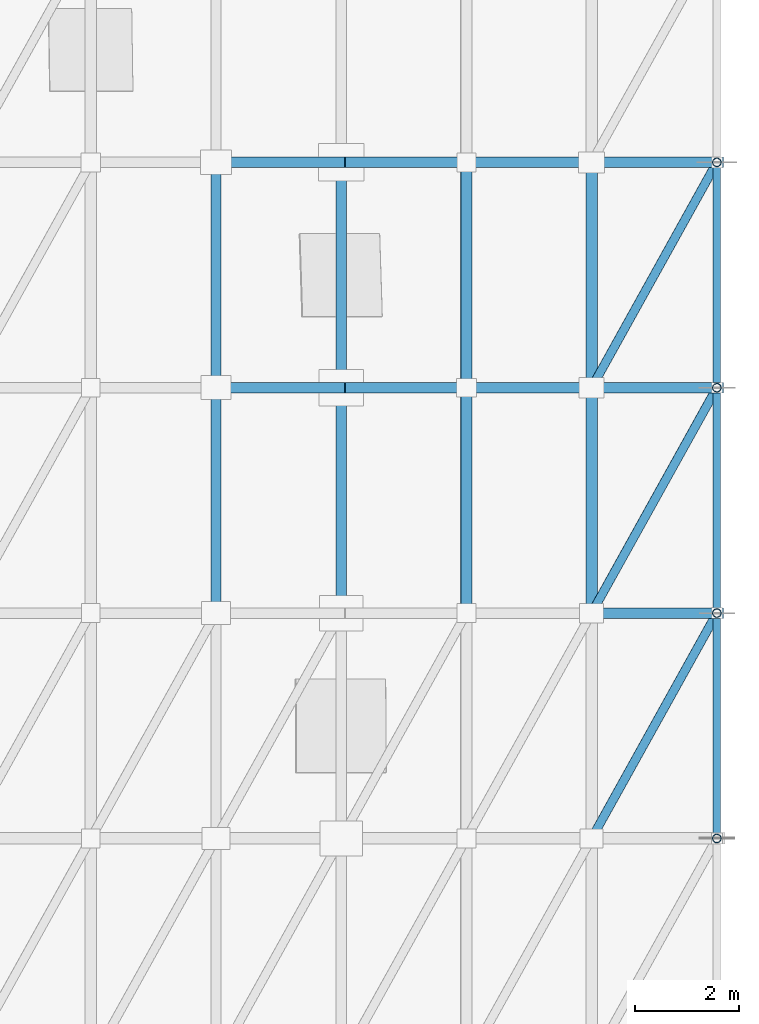
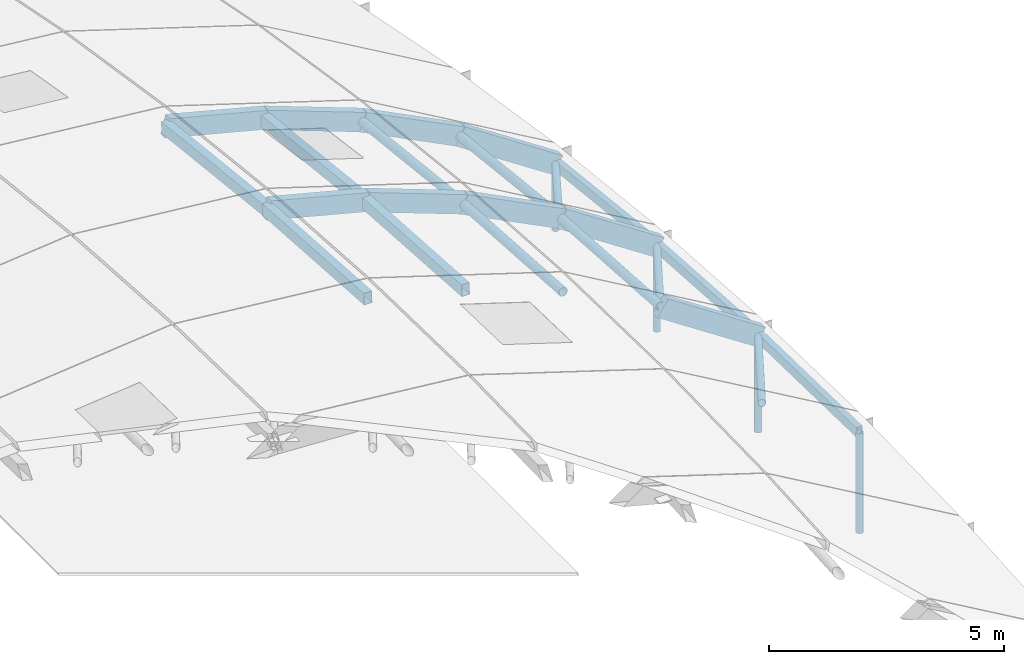
# One storey, part 16 of 35: 27 members.
"""IFC4 building model written with IfcOpenShell, lengths in metres."""

from ifc_helpers import new_model, si_unit, direction, frame, origin, origin_2d, place, context, subcontext, project, spatial, rectangle, hollow_rectangle, hollow_circle, extrude, material, material_profile, profile_set, type_object, element, save


model = new_model("IFC4")

# Units and contexts
model_context = context("Model", 3, precision=1e-05, world=origin(), true_north=direction((0.0, 1.0)))
body_context = subcontext(model_context, "Body", "Model", "MODEL_VIEW")
ifc_project = project(units=[si_unit("LENGTHUNIT", "METRE"), si_unit("AREAUNIT", "SQUARE_METRE"), si_unit("VOLUMEUNIT", "CUBIC_METRE"), si_unit("PLANEANGLEUNIT", "RADIAN"), si_unit("MASSUNIT", "GRAM", prefix="KILO")], contexts=[model_context])

# Site, building, storey
site_placement = place(None, origin())
site = spatial("IfcSite", under=ifc_project, at=site_placement, CompositionType="ELEMENT")
building_placement = place(site_placement, origin())
building = spatial("IfcBuilding", under=site, at=building_placement, Name="Zarrinpeak Specialist Clinic", CompositionType="ELEMENT")
storey_placement = place(building_placement, frame((0.0, 0.0, 31.60009765625)))
storey = spatial("IfcBuildingStorey", under=building, at=storey_placement, Name="RF", CompositionType="ELEMENT", Elevation=31.60009765625)

# Members
ifc_material_1 = material(Name="Steel S355", Category="steel")
ifc_material_profile_1 = material_profile(ifc_material_1, hollow_circle(Radius=0.084228515625, WallThickness=0.008056640625, at=origin_2d()), Name="CHS 168.3x8.0")
ifc_profile_set_1 = profile_set([ifc_material_profile_1], Name="Steel S355")
member_type_1 = type_object("IfcMemberType", Name="MB-BR168", PredefinedType="BRACE", material=ifc_profile_set_1)
member_1_placement = place(storey_placement, frame((120.0, 50.39990234375, -13.615478515625), z_axis=(0.459761922382, 0.827618231592, -0.321973659581), x_axis=(-0.874168927292, 0.485621958479, 0.0)))
element("IfcMember", 1, at=member_1_placement, inside=storey, type_object=member_type_1, Name="V3 Gridshell Diagonal Brace GS-DIAG-068", PredefinedType="BRACE", context=body_context, shape_type="SweptSolid", body=[
    extrude(hollow_circle(Radius=0.084228515625, WallThickness=0.008056640625, at=origin_2d()), origin(), (0.0, 0.0, 1.0), 5.219970703125),
])
member_2_placement = place(storey_placement, frame((120.0, 54.719970703125, -13.71142578125), z_axis=(0.454115050454, 0.81745328767, -0.354329851168), x_axis=(-0.874168927292, 0.485621958479, 0.0)))
element("IfcMember", 2, at=member_2_placement, inside=storey, type_object=member_type_1, Name="V3 Gridshell Diagonal Brace GS-DIAG-069", PredefinedType="BRACE", context=body_context, shape_type="SweptSolid", body=[
    extrude(hollow_circle(Radius=0.084228515625, WallThickness=0.008056640625, at=origin_2d()), origin(), (0.0, 0.0, 1.0), 5.28466796875),
])
member_3_placement = place(storey_placement, frame((120.0, 59.0400390625, -13.99951171875), z_axis=(0.448087039807, 0.806602255279, -0.385500721836), x_axis=(-0.874168927292, 0.485621958479, 0.0)))
element("IfcMember", 3, at=member_3_placement, inside=storey, type_object=member_type_1, Name="V3 Gridshell Diagonal Brace GS-DIAG-070", PredefinedType="BRACE", context=body_context, shape_type="SweptSolid", body=[
    extrude(hollow_circle(Radius=0.084228515625, WallThickness=0.008056640625, at=origin_2d()), origin(), (0.0, 0.0, 1.0), 5.35595703125),
])
ifc_material_profile_2 = material_profile(ifc_material_1, hollow_circle(Radius=0.109619140625, WallThickness=0.010009765625, at=origin_2d()), Name="CHS 219.1x10.0")
ifc_profile_set_2 = profile_set([ifc_material_profile_2], Name="Steel S355")
member_type_2 = type_object("IfcMemberType", Name="MB-GS-CH219", PredefinedType="USERDEFINED", material=ifc_profile_set_2)
member_4_placement = place(storey_placement, frame((117.60009765625, 54.719970703125, -12.499755859375), z_axis=(0.0, 0.997787652204, -0.066481584739), x_axis=(-1.0, 0.0, 0.0)))
element("IfcMember", 4, at=member_4_placement, inside=storey, type_object=member_type_2, Name="V3 Translational Gridshell Vault Steel Chord I10-J06", ObjectType="ARCH_SEGMENT", PredefinedType="USERDEFINED", context=body_context, shape_type="SweptSolid", body=[
    extrude(hollow_circle(Radius=0.109619140625, WallThickness=0.010009765625, at=origin_2d()), origin(), (0.0, 0.0, 1.0), 4.32958984375),
])
member_5_placement = place(storey_placement, frame((117.60009765625, 59.0400390625, -12.78759765625), z_axis=(0.0, 0.993884419624, -0.110425361344), x_axis=(-1.0, 0.0, 0.0)))
element("IfcMember", 5, at=member_5_placement, inside=storey, type_object=member_type_2, Name="V3 Translational Gridshell Vault Steel Chord I10-J07", ObjectType="ARCH_SEGMENT", PredefinedType="USERDEFINED", context=body_context, shape_type="SweptSolid", body=[
    extrude(hollow_circle(Radius=0.109619140625, WallThickness=0.010009765625, at=origin_2d()), origin(), (0.0, 0.0, 1.0), 4.3466796875),
])
member_6_placement = place(storey_placement, frame((120.0, 54.719970703125, -13.71142578125), z_axis=(0.0, 0.997783910161, -0.066537723311), x_axis=(-1.0, 0.0, 0.0)))
element("IfcMember", 6, at=member_6_placement, inside=storey, type_object=member_type_2, Name="V3 Translational Gridshell Vault Steel Chord I11-J06", ObjectType="ARCH_SEGMENT", PredefinedType="USERDEFINED", context=body_context, shape_type="SweptSolid", body=[
    extrude(hollow_circle(Radius=0.109619140625, WallThickness=0.010009765625, at=origin_2d()), origin(), (0.0, 0.0, 1.0), 4.32958984375),
])
member_7_placement = place(storey_placement, frame((120.0, 59.0400390625, -13.99951171875), z_axis=(0.0, 0.993884419624, -0.110425361344), x_axis=(-1.0, 0.0, 0.0)))
element("IfcMember", 7, at=member_7_placement, inside=storey, type_object=member_type_2, Name="V3 Translational Gridshell Vault Steel Chord I11-J07", ObjectType="ARCH_SEGMENT", PredefinedType="USERDEFINED", context=body_context, shape_type="SweptSolid", body=[
    extrude(hollow_circle(Radius=0.109619140625, WallThickness=0.010009765625, at=origin_2d()), origin(), (0.0, 0.0, 1.0), 4.3466796875),
])
ifc_material_2 = material(Name="Glulam GL28h", Category="wood")
ifc_material_profile_3 = material_profile(ifc_material_2, rectangle(XDim=0.199951171875, YDim=0.47998046875, at=origin_2d()), Name="GL28h 200x480")
ifc_profile_set_3 = profile_set([ifc_material_profile_3], Name="Glulam GL28h")
member_type_3 = type_object("IfcMemberType", Name="MB-GS-GL480", PredefinedType="USERDEFINED", material=ifc_profile_set_3)
member_8_placement = place(storey_placement, frame((120.0, 54.719970703125, -13.71142578125), z_axis=(0.834484495814, 0.0, -0.55103142038), x_axis=(0.0, 1.0, 0.0)))
element("IfcMember", 8, at=member_8_placement, inside=storey, type_object=member_type_3, Name="V3 Translational Gridshell Vault Glulam Arch Rib J06-11", ObjectType="ARCH_SEGMENT", PredefinedType="USERDEFINED", context=body_context, shape_type="SweptSolid", body=[
    extrude(rectangle(XDim=0.199951171875, YDim=0.47998046875, at=origin_2d()), origin(), (0.0, 0.0, 1.0), 2.8759765625),
])
member_9_placement = place(storey_placement, frame((112.800048828125, 59.0400390625, -11.26904296875), z_axis=(0.96815267419, 0.0, -0.250360538941), x_axis=(0.0, 1.0, 0.0)))
element("IfcMember", 9, at=member_9_placement, inside=storey, type_object=member_type_3, Name="V3 Translational Gridshell Vault Glulam Arch Rib J07-08", ObjectType="ARCH_SEGMENT", PredefinedType="USERDEFINED", context=body_context, shape_type="SweptSolid", body=[
    extrude(rectangle(XDim=0.199951171875, YDim=0.47998046875, at=origin_2d()), origin(), (0.0, 0.0, 1.0), 2.478759765625),
])
member_10_placement = place(storey_placement, frame((115.199951171875, 59.0400390625, -11.8896484375), z_axis=(0.936599049523, 0.0, -0.350402940102), x_axis=(0.0, 1.0, 0.0)))
element("IfcMember", 10, at=member_10_placement, inside=storey, type_object=member_type_3, Name="V3 Translational Gridshell Vault Glulam Arch Rib J07-09", ObjectType="ARCH_SEGMENT", PredefinedType="USERDEFINED", context=body_context, shape_type="SweptSolid", body=[
    extrude(rectangle(XDim=0.199951171875, YDim=0.47998046875, at=origin_2d()), origin(), (0.0, 0.0, 1.0), 2.5625),
])
member_11_placement = place(storey_placement, frame((117.60009765625, 59.0400390625, -12.78759765625), z_axis=(0.892640275465, 0.0, -0.450769717946), x_axis=(0.0, 1.0, 0.0)))
element("IfcMember", 11, at=member_11_placement, inside=storey, type_object=member_type_3, Name="V3 Translational Gridshell Vault Glulam Arch Rib J07-10", ObjectType="ARCH_SEGMENT", PredefinedType="USERDEFINED", context=body_context, shape_type="SweptSolid", body=[
    extrude(rectangle(XDim=0.199951171875, YDim=0.47998046875, at=origin_2d()), origin(), (0.0, 0.0, 1.0), 2.6884765625),
])
member_12_placement = place(storey_placement, frame((120.0, 59.0400390625, -13.99951171875), z_axis=(0.834523531014, 0.0, -0.550972300741), x_axis=(0.0, 1.0, 0.0)))
element("IfcMember", 12, at=member_12_placement, inside=storey, type_object=member_type_3, Name="V3 Translational Gridshell Vault Glulam Arch Rib J07-11", ObjectType="ARCH_SEGMENT", PredefinedType="USERDEFINED", context=body_context, shape_type="SweptSolid", body=[
    extrude(rectangle(XDim=0.199951171875, YDim=0.47998046875, at=origin_2d()), origin(), (0.0, 0.0, 1.0), 2.875732421875),
])
member_13_placement = place(storey_placement, frame((112.800048828125, 63.360107421875, -11.7490234375), z_axis=(0.96815267419, 0.0, -0.250360538941), x_axis=(0.0, 1.0, 0.0)))
element("IfcMember", 13, at=member_13_placement, inside=storey, type_object=member_type_3, Name="V3 Translational Gridshell Vault Glulam Arch Rib J08-08", ObjectType="ARCH_SEGMENT", PredefinedType="USERDEFINED", context=body_context, shape_type="SweptSolid", body=[
    extrude(rectangle(XDim=0.199951171875, YDim=0.47998046875, at=origin_2d()), origin(), (0.0, 0.0, 1.0), 2.478759765625),
])
member_14_placement = place(storey_placement, frame((115.199951171875, 63.360107421875, -12.36962890625), z_axis=(0.936599049523, 0.0, -0.350402940102), x_axis=(0.0, 1.0, 0.0)))
element("IfcMember", 14, at=member_14_placement, inside=storey, type_object=member_type_3, Name="V3 Translational Gridshell Vault Glulam Arch Rib J08-09", ObjectType="ARCH_SEGMENT", PredefinedType="USERDEFINED", context=body_context, shape_type="SweptSolid", body=[
    extrude(rectangle(XDim=0.199951171875, YDim=0.47998046875, at=origin_2d()), origin(), (0.0, 0.0, 1.0), 2.5625),
])
member_15_placement = place(storey_placement, frame((117.60009765625, 63.360107421875, -13.267578125), z_axis=(0.892640275465, 0.0, -0.450769717946), x_axis=(0.0, 1.0, 0.0)))
element("IfcMember", 15, at=member_15_placement, inside=storey, type_object=member_type_3, Name="V3 Translational Gridshell Vault Glulam Arch Rib J08-10", ObjectType="ARCH_SEGMENT", PredefinedType="USERDEFINED", context=body_context, shape_type="SweptSolid", body=[
    extrude(rectangle(XDim=0.199951171875, YDim=0.47998046875, at=origin_2d()), origin(), (0.0, 0.0, 1.0), 2.6884765625),
])
member_16_placement = place(storey_placement, frame((120.0, 63.360107421875, -14.4794921875), z_axis=(0.834484495814, 0.0, -0.55103142038), x_axis=(0.0, 1.0, 0.0)))
element("IfcMember", 16, at=member_16_placement, inside=storey, type_object=member_type_3, Name="V3 Translational Gridshell Vault Glulam Arch Rib J08-11", ObjectType="ARCH_SEGMENT", PredefinedType="USERDEFINED", context=body_context, shape_type="SweptSolid", body=[
    extrude(rectangle(XDim=0.199951171875, YDim=0.47998046875, at=origin_2d()), origin(), (0.0, 0.0, 1.0), 2.8759765625),
])
ifc_material_profile_4 = material_profile(ifc_material_1, hollow_rectangle(XDim=0.14990234375, YDim=0.25, WallThickness=0.010009765625, at=origin_2d()), Name="RHS 250x150x10.0")
ifc_profile_set_4 = profile_set([ifc_material_profile_4], Name="Steel S355")
member_type_4 = type_object("IfcMemberType", Name="MB-GS-RH250", PredefinedType="USERDEFINED", material=ifc_profile_set_4)
member_17_placement = place(storey_placement, frame((122.39990234375, 50.39990234375, -15.2001953125), z_axis=(0.0, 0.999753456624, -0.022204188101), x_axis=(-1.0, 0.0, 0.0)))
element("IfcMember", 17, at=member_17_placement, inside=storey, type_object=member_type_4, Name="V3 Translational Gridshell Vault Steel Chord I12-J05", ObjectType="ARCH_SEGMENT", PredefinedType="USERDEFINED", context=body_context, shape_type="SweptSolid", body=[
    extrude(hollow_rectangle(XDim=0.14990234375, YDim=0.25, WallThickness=0.010009765625, at=origin_2d()), origin(), (0.0, 0.0, 1.0), 4.321044921875),
])
member_18_placement = place(storey_placement, frame((122.39990234375, 54.719970703125, -15.296142578125), z_axis=(0.0, 0.997787652204, -0.066481584739), x_axis=(-1.0, 0.0, 0.0)))
element("IfcMember", 18, at=member_18_placement, inside=storey, type_object=member_type_4, Name="V3 Translational Gridshell Vault Steel Chord I12-J06", ObjectType="ARCH_SEGMENT", PredefinedType="USERDEFINED", context=body_context, shape_type="SweptSolid", body=[
    extrude(hollow_rectangle(XDim=0.14990234375, YDim=0.25, WallThickness=0.010009765625, at=origin_2d()), origin(), (0.0, 0.0, 1.0), 4.32958984375),
])
member_19_placement = place(storey_placement, frame((122.39990234375, 59.0400390625, -15.583984375), z_axis=(0.0, 0.993878253725, -0.110480843463), x_axis=(-1.0, 0.0, 0.0)))
element("IfcMember", 19, at=member_19_placement, inside=storey, type_object=member_type_4, Name="V3 Translational Gridshell Vault Steel Chord I12-J07", ObjectType="ARCH_SEGMENT", PredefinedType="USERDEFINED", context=body_context, shape_type="SweptSolid", body=[
    extrude(hollow_rectangle(XDim=0.14990234375, YDim=0.25, WallThickness=0.010009765625, at=origin_2d()), origin(), (0.0, 0.0, 1.0), 4.3466796875),
])
ifc_material_profile_5 = material_profile(ifc_material_1, hollow_rectangle(XDim=0.199951171875, YDim=0.300048828125, WallThickness=0.012451171875, at=origin_2d()), Name="RHS 300x200x12.5")
ifc_profile_set_5 = profile_set([ifc_material_profile_5], Name="Steel S355")
member_type_5 = type_object("IfcMemberType", Name="MB-GS-RH300", PredefinedType="USERDEFINED", material=ifc_profile_set_5)
member_20_placement = place(storey_placement, frame((112.800048828125, 54.719970703125, -10.98095703125), z_axis=(0.0, 0.997783910161, -0.066537723311), x_axis=(-1.0, 0.0, 0.0)))
element("IfcMember", 20, at=member_20_placement, inside=storey, type_object=member_type_5, Name="V3 Translational Gridshell Vault Steel Chord I08-J06", ObjectType="ARCH_SEGMENT", PredefinedType="USERDEFINED", context=body_context, shape_type="SweptSolid", body=[
    extrude(hollow_rectangle(XDim=0.199951171875, YDim=0.300048828125, WallThickness=0.012451171875, at=origin_2d()), origin(), (0.0, 0.0, 1.0), 4.32958984375),
])
member_21_placement = place(storey_placement, frame((112.800048828125, 59.0400390625, -11.26904296875), z_axis=(0.0, 0.993884419624, -0.110425361344), x_axis=(-1.0, 0.0, 0.0)))
element("IfcMember", 21, at=member_21_placement, inside=storey, type_object=member_type_5, Name="V3 Translational Gridshell Vault Steel Chord I08-J07", ObjectType="ARCH_SEGMENT", PredefinedType="USERDEFINED", context=body_context, shape_type="SweptSolid", body=[
    extrude(hollow_rectangle(XDim=0.199951171875, YDim=0.300048828125, WallThickness=0.012451171875, at=origin_2d()), origin(), (0.0, 0.0, 1.0), 4.3466796875),
])
member_22_placement = place(storey_placement, frame((115.199951171875, 54.719970703125, -11.6015625), z_axis=(0.0, 0.997783910161, -0.066537723311), x_axis=(-1.0, 0.0, 0.0)))
element("IfcMember", 22, at=member_22_placement, inside=storey, type_object=member_type_5, Name="V3 Translational Gridshell Vault Steel Chord I09-J06", ObjectType="ARCH_SEGMENT", PredefinedType="USERDEFINED", context=body_context, shape_type="SweptSolid", body=[
    extrude(hollow_rectangle(XDim=0.199951171875, YDim=0.300048828125, WallThickness=0.012451171875, at=origin_2d()), origin(), (0.0, 0.0, 1.0), 4.32958984375),
])
member_23_placement = place(storey_placement, frame((115.199951171875, 59.0400390625, -11.8896484375), z_axis=(0.0, 0.993884419624, -0.110425361344), x_axis=(-1.0, 0.0, 0.0)))
element("IfcMember", 23, at=member_23_placement, inside=storey, type_object=member_type_5, Name="V3 Translational Gridshell Vault Steel Chord I09-J07", ObjectType="ARCH_SEGMENT", PredefinedType="USERDEFINED", context=body_context, shape_type="SweptSolid", body=[
    extrude(hollow_rectangle(XDim=0.199951171875, YDim=0.300048828125, WallThickness=0.012451171875, at=origin_2d()), origin(), (0.0, 0.0, 1.0), 4.3466796875),
])
ifc_material_profile_6 = material_profile(ifc_material_1, hollow_circle(Radius=0.084228515625, WallThickness=0.008056640625, at=origin_2d()), Name="CHS 168.3x8.0")
ifc_profile_set_6 = profile_set([ifc_material_profile_6], Name="Steel S355")
member_type_6 = type_object("IfcMemberType", Name="MB-PST168", PredefinedType="BRACE", material=ifc_profile_set_6)
member_24_placement = place(storey_placement, frame((122.39990234375, 50.39990234375, -17.800048828125), z_axis=(0.0, 0.0, 1.0), x_axis=(1.0, 0.0, 0.0)))
element("IfcMember", 24, at=member_24_placement, inside=storey, type_object=member_type_6, Name="V3 Gridshell Edge Arch Post 12-5", PredefinedType="BRACE", context=body_context, shape_type="SweptSolid", body=[
    extrude(hollow_circle(Radius=0.084228515625, WallThickness=0.008056640625, at=origin_2d()), origin(), (0.0, 0.0, 1.0), 2.599853515625),
])
member_25_placement = place(storey_placement, frame((122.39990234375, 54.719970703125, -17.800048828125), z_axis=(0.0, 0.0, 1.0), x_axis=(1.0, 0.0, 0.0)))
element("IfcMember", 25, at=member_25_placement, inside=storey, type_object=member_type_6, Name="V3 Gridshell Edge Arch Post 12-6", PredefinedType="BRACE", context=body_context, shape_type="SweptSolid", body=[
    extrude(hollow_circle(Radius=0.084228515625, WallThickness=0.008056640625, at=origin_2d()), origin(), (0.0, 0.0, 1.0), 2.50390625),
])
member_26_placement = place(storey_placement, frame((122.39990234375, 59.0400390625, -17.800048828125), z_axis=(0.0, 0.0, 1.0), x_axis=(1.0, 0.0, 0.0)))
element("IfcMember", 26, at=member_26_placement, inside=storey, type_object=member_type_6, Name="V3 Gridshell Edge Arch Post 12-7", PredefinedType="BRACE", context=body_context, shape_type="SweptSolid", body=[
    extrude(hollow_circle(Radius=0.084228515625, WallThickness=0.008056640625, at=origin_2d()), origin(), (0.0, 0.0, 1.0), 2.216064453125),
])
member_27_placement = place(storey_placement, frame((122.39990234375, 63.360107421875, -17.800048828125), z_axis=(0.0, 0.0, 1.0), x_axis=(1.0, 0.0, 0.0)))
element("IfcMember", 27, at=member_27_placement, inside=storey, type_object=member_type_6, Name="V3 Gridshell Edge Arch Post 12-8", PredefinedType="BRACE", context=body_context, shape_type="SweptSolid", body=[
    extrude(hollow_circle(Radius=0.084228515625, WallThickness=0.008056640625, at=origin_2d()), origin(), (0.0, 0.0, 1.0), 1.73583984375),
])

save(model, "model.ifc")
